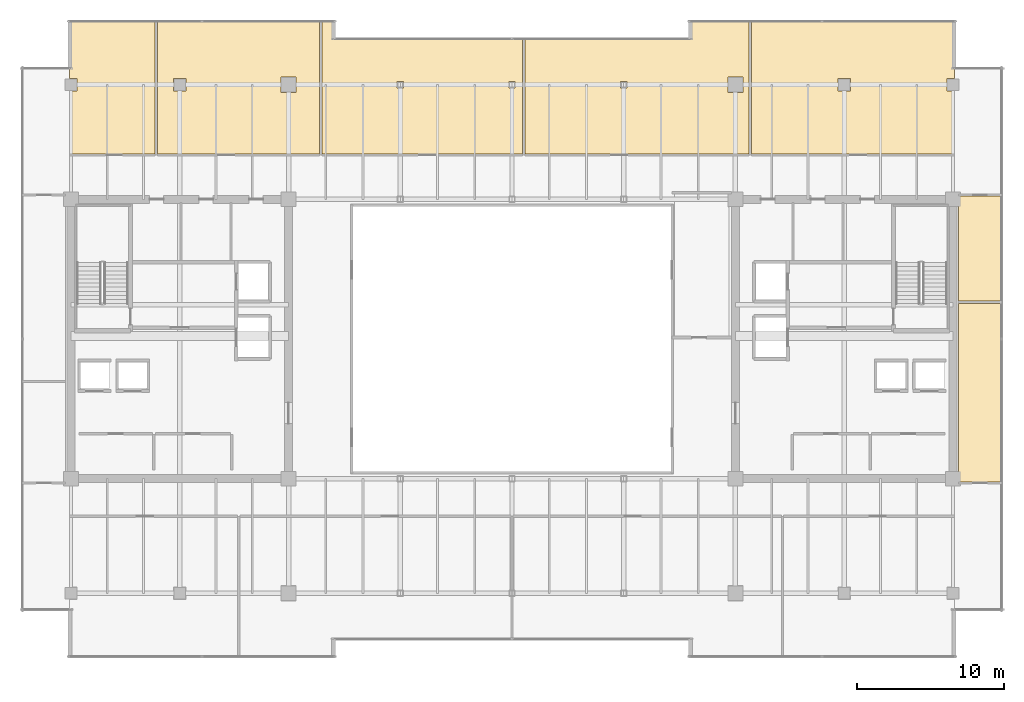
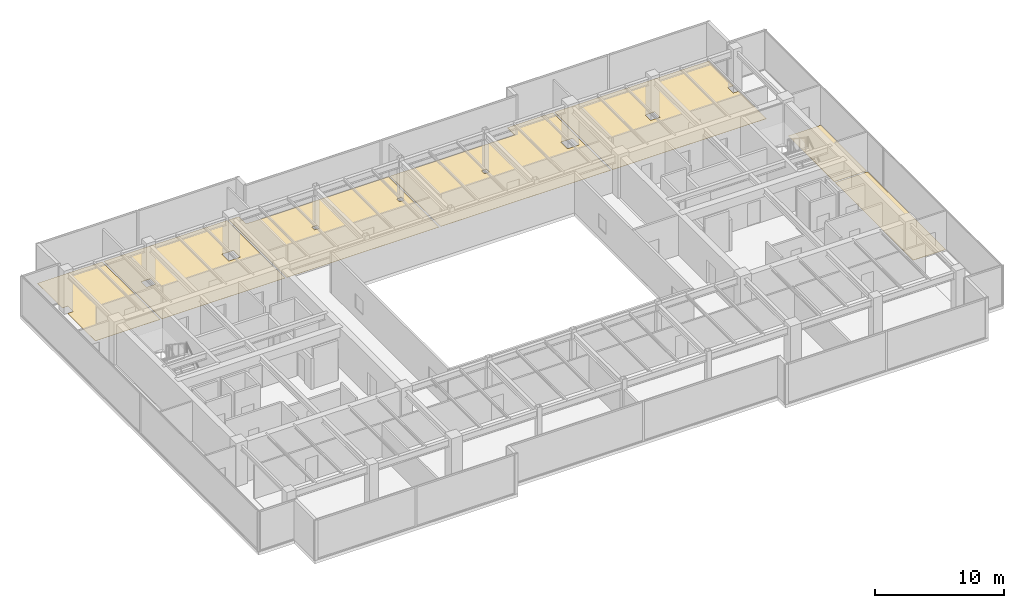
# One storey, part 36 of 36: 7 coverings.
"""IFC4 building model written with IfcOpenShell, lengths in metres."""

from ifc_helpers import new_model, si_unit, direction, frame, origin, place, context, subcontext, project, spatial, polyline, outline, extrude, material, layer, layer_set, type_object, element, save


model = new_model("IFC4")

# Units and contexts
model_context = context("Model", 3, precision=1e-05, world=origin(), true_north=direction((0.0, 1.0)))
body_context = subcontext(model_context, "Body", "Model", "MODEL_VIEW")
ifc_project = project(units=[si_unit("LENGTHUNIT", "METRE"), si_unit("AREAUNIT", "SQUARE_METRE"), si_unit("VOLUMEUNIT", "CUBIC_METRE"), si_unit("PLANEANGLEUNIT", "RADIAN"), si_unit("MASSUNIT", "GRAM", prefix="KILO")], contexts=[model_context])

# Site, building, storey
site_placement = place(None, origin())
site = spatial("IfcSite", under=ifc_project, at=site_placement, CompositionType="ELEMENT")
building_placement = place(site_placement, origin())
building = spatial("IfcBuilding", under=site, at=building_placement, Name="Haelvirn Gate Laboratories", CompositionType="ELEMENT")
storey_placement = place(building_placement, frame((0.0, 0.0, 254.699951171875)))
storey = spatial("IfcBuildingStorey", under=building, at=storey_placement, Name="L61", CompositionType="ELEMENT", Elevation=254.699951171875)

# Coverings
ifc_material = material(Name="Seamless chemical-resistant epoxy laboratory flooring")
ifc_layer = layer(ifc_material, 0.01806640625, Name="COV-FLR-RESIN")
ifc_layer_set = layer_set([ifc_layer], Name="Seamless chemical-resistant epoxy laboratory flooring")
covering_type = type_object("IfcCoveringType", Name="COV-FLR-RESIN", PredefinedType="FLOORING", material=ifc_layer_set)
covering_1_placement = place(storey_placement, origin())
element("IfcCovering", 1, at=covering_1_placement, inside=storey, type_object=covering_type, Name="L61 Seamless Laboratory Flooring FLR-SP-L61-N-01", PredefinedType="FLOORING", context=body_context, shape_type="SweptSolid", body=[
    extrude(outline(polyline([(7.820068359375, 41.179931640625), (7.820068359375, 42.02001953125), (7.31005859375, 42.02001953125), (7.31005859375, 45.889892578125), (13.1201171875, 45.889892578125), (13.1201171875, 36.8798828125), (7.31005859375, 36.8798828125), (7.31005859375, 41.179931640625), (7.820068359375, 41.179931640625)])), origin(), (0.0, 0.0, 1.0), 0.01806640625),
])
covering_2_placement = place(storey_placement, origin())
element("IfcCovering", 2, at=covering_2_placement, inside=storey, type_object=covering_type, Name="L61 Seamless Laboratory Flooring FLR-SP-L61-N-02", PredefinedType="FLOORING", context=body_context, shape_type="SweptSolid", body=[
    extrude(outline(polyline([(24.320068359375, 36.8798828125), (13.280029296875, 36.8798828125), (13.280029296875, 45.889892578125), (24.320068359375, 45.889892578125), (24.320068359375, 36.8798828125)]), holes=[polyline([(14.3798828125, 41.179931640625), (15.219970703125, 41.179931640625), (15.219970703125, 42.02001953125), (14.3798828125, 42.02001953125), (14.3798828125, 41.179931640625)]), polyline([(21.679931640625, 42.1201171875), (21.679931640625, 41.080078125), (22.719970703125, 41.080078125), (22.719970703125, 42.1201171875), (21.679931640625, 42.1201171875)])]), origin(), (0.0, 0.0, 1.0), 0.01806640625),
])
covering_3_placement = place(storey_placement, origin())
element("IfcCovering", 3, at=covering_3_placement, inside=storey, type_object=covering_type, Name="L61 Seamless Laboratory Flooring FLR-SP-L61-N-03", PredefinedType="FLOORING", context=body_context, shape_type="SweptSolid", body=[
    extrude(outline(polyline([(25.360107421875, 45.889892578125), (25.360107421875, 44.800048828125), (25.360107421875, 44.796142578125), (25.36083984375, 44.792236328125), (25.36181640625, 44.788330078125), (25.363037109375, 44.78466796875), (25.36474609375, 44.781005859375), (25.36669921875, 44.77783203125), (25.369140625, 44.774658203125), (25.37158203125, 44.771728515625), (25.37451171875, 44.76904296875), (25.377685546875, 44.7666015625), (25.381103515625, 44.7646484375), (25.384765625, 44.762939453125), (25.388427734375, 44.76171875), (25.39208984375, 44.7607421875), (25.39599609375, 44.76025390625), (25.39990234375, 44.760009765625), (38.1201171875, 44.760009765625), (38.1201171875, 36.8798828125), (24.47998046875, 36.8798828125), (24.47998046875, 45.889892578125), (25.360107421875, 45.889892578125)]), holes=[polyline([(29.580078125, 41.3798828125), (30.02001953125, 41.3798828125), (30.02001953125, 41.820068359375), (29.580078125, 41.820068359375), (29.580078125, 41.3798828125)]), polyline([(37.179931640625, 41.820068359375), (37.179931640625, 41.3798828125), (37.6201171875, 41.3798828125), (37.6201171875, 41.820068359375), (37.179931640625, 41.820068359375)])]), origin(), (0.0, 0.0, 1.0), 0.01806640625),
])
covering_4_placement = place(storey_placement, origin())
element("IfcCovering", 4, at=covering_4_placement, inside=storey, type_object=covering_type, Name="L61 Seamless Laboratory Flooring FLR-SP-L61-N-04", PredefinedType="FLOORING", context=body_context, shape_type="SweptSolid", body=[
    extrude(outline(polyline([(38.280029296875, 44.760009765625), (49.39990234375, 44.760009765625), (49.40380859375, 44.76025390625), (49.40771484375, 44.7607421875), (49.41162109375, 44.76171875), (49.415283203125, 44.762939453125), (49.4189453125, 44.7646484375), (49.422119140625, 44.7666015625), (49.42529296875, 44.76904296875), (49.42822265625, 44.771728515625), (49.430908203125, 44.774658203125), (49.433349609375, 44.77783203125), (49.435302734375, 44.781005859375), (49.43701171875, 44.78466796875), (49.438232421875, 44.788330078125), (49.439208984375, 44.792236328125), (49.439697265625, 44.796142578125), (49.43994140625, 44.800048828125), (49.43994140625, 45.889892578125), (53.52001953125, 45.889892578125), (53.52001953125, 36.8798828125), (38.280029296875, 36.8798828125), (38.280029296875, 44.760009765625)]), holes=[polyline([(52.080078125, 41.080078125), (53.1201171875, 41.080078125), (53.1201171875, 42.1201171875), (52.080078125, 42.1201171875), (52.080078125, 41.080078125)]), polyline([(44.780029296875, 41.820068359375), (44.780029296875, 41.3798828125), (45.219970703125, 41.3798828125), (45.219970703125, 41.820068359375), (44.780029296875, 41.820068359375)])]), origin(), (0.0, 0.0, 1.0), 0.01806640625),
])
covering_5_placement = place(storey_placement, origin())
element("IfcCovering", 5, at=covering_5_placement, inside=storey, type_object=covering_type, Name="L61 Seamless Laboratory Flooring FLR-SP-L61-N-05", PredefinedType="FLOORING", context=body_context, shape_type="SweptSolid", body=[
    extrude(outline(polyline([(67.489990234375, 42.02001953125), (66.97998046875, 42.02001953125), (66.97998046875, 41.179931640625), (67.489990234375, 41.179931640625), (67.489990234375, 36.8798828125), (53.679931640625, 36.8798828125), (53.679931640625, 45.889892578125), (67.489990234375, 45.889892578125), (67.489990234375, 42.02001953125)]), holes=[polyline([(59.580078125, 41.179931640625), (60.419921875, 41.179931640625), (60.419921875, 42.02001953125), (59.580078125, 42.02001953125), (59.580078125, 41.179931640625)])]), origin(), (0.0, 0.0, 1.0), 0.01806640625),
])
covering_6_placement = place(storey_placement, origin())
element("IfcCovering", 6, at=covering_6_placement, inside=storey, type_object=covering_type, Name="L61 Seamless Laboratory Flooring FLR-SP-L61-EZ3-S", PredefinedType="FLOORING", context=body_context, shape_type="SweptSolid", body=[
    extrude(outline(polyline([(67.780029296875, 26.72998046875), (70.68994140625, 26.72998046875), (70.68994140625, 14.5849609375), (67.780029296875, 14.5849609375), (67.780029296875, 26.72998046875)])), origin(), (0.0, 0.0, 1.0), 0.01806640625),
])
covering_7_placement = place(storey_placement, origin())
element("IfcCovering", 7, at=covering_7_placement, inside=storey, type_object=covering_type, Name="L61 Seamless Laboratory Flooring FLR-SP-L61-EZ3-N", PredefinedType="FLOORING", context=body_context, shape_type="SweptSolid", body=[
    extrude(outline(polyline([(67.780029296875, 34.014892578125), (70.68994140625, 34.014892578125), (70.68994140625, 26.8701171875), (67.780029296875, 26.8701171875), (67.780029296875, 34.014892578125)])), origin(), (0.0, 0.0, 1.0), 0.01806640625),
])

save(model, "model.ifc")
